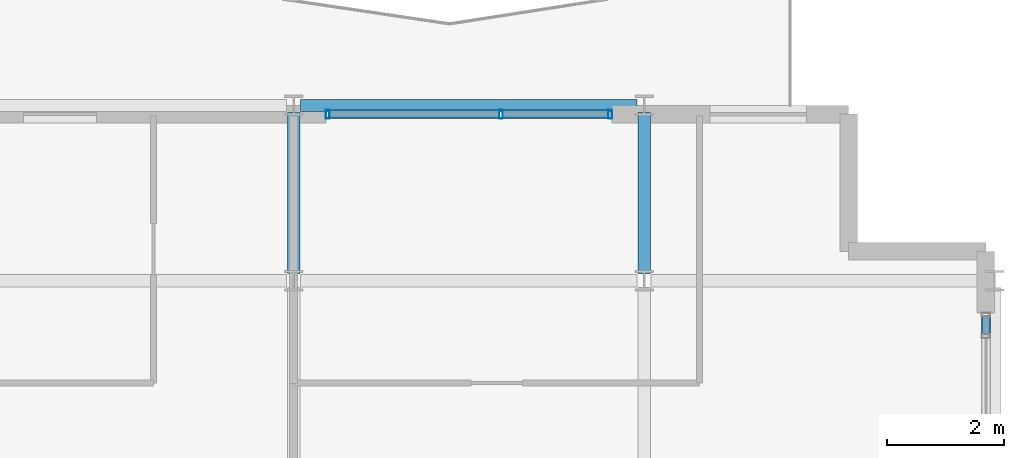
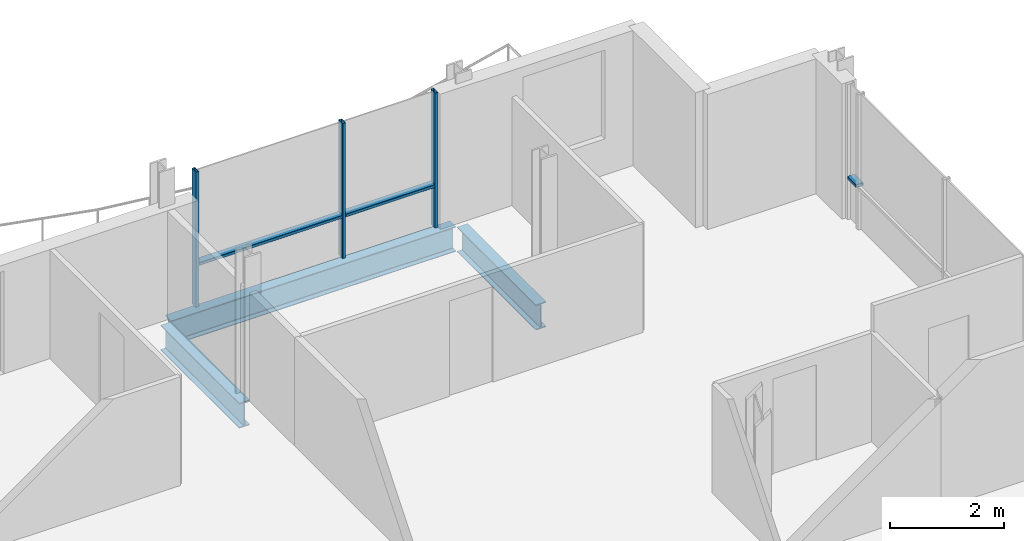
# One storey, part 10 of 17: 6 members, 3 beams, 2 elements without a shape of their own.
"""IFC4 building model written with IfcOpenShell, lengths in metres."""

import ifcopenshell
import ifcopenshell.guid

model = None  # the IFC model being written
_history = None  # IfcOwnerHistory: only IFC2X3 demands one
_inside = {}  # id of a spatial element -> (the spatial element, [elements in it])
_under = {}  # id of a project, library or spatial element -> (it, [spatial elements below it])
_declared = {}  # id of a project -> (the project, [libraries it declares])
_typed = {}  # id of a type object -> (the type object, [elements of that type])
_made_of = {}  # id of a material, layer set ... -> (it, [elements and type objects made of it])


def new_model(schema):
    """Start an empty IFC model of exactly this schema.

    Asked for "IFC4X3", IfcOpenShell would pick the latest addendum, in which some entities
    have other attributes; the version numbers below select the first issue.
    IFC2X3 requires an IfcOwnerHistory on every rooted entity: one is made here for all.
    """
    global model, _history
    if schema == "IFC4X3":
        model = ifcopenshell.file(schema_version=(4, 3, 0, 0))
    else:
        model = ifcopenshell.file(schema=schema)
    _inside.clear()
    _under.clear()
    _declared.clear()
    _typed.clear()
    _made_of.clear()
    _history = None
    if model.schema == "IFC2X3":
        org = make("IfcOrganization", Name="unknown")
        user = make(
            "IfcPersonAndOrganization",
            ThePerson=make("IfcPerson", FamilyName="unknown"),
            TheOrganization=org,
        )
        app = make(
            "IfcApplication",
            ApplicationDeveloper=org,
            Version="unknown",
            ApplicationFullName="unknown",
            ApplicationIdentifier="unknown",
        )
        _history = make(
            "IfcOwnerHistory",
            OwningUser=user,
            OwningApplication=app,
            ChangeAction="ADDED",
            CreationDate=0,
        )
    return model


def make(cls, **values):
    """One entity of the class cls with the attributes given. An attribute that is None is left unset."""
    return model.create_entity(
        cls, **{name: value for name, value in values.items() if value is not None}
    )


def rooted(cls, **values):
    """An entity with a GlobalId (a new one), such as an element, a storey or a relation."""
    return make(cls, GlobalId=ifcopenshell.guid.new(), OwnerHistory=_history, **values)


def si_unit(unit_type, name, prefix=None):
    """IfcSIUnit, for example si_unit("LENGTHUNIT", "METRE", prefix="MILLI")."""
    return make("IfcSIUnit", UnitType=unit_type, Prefix=prefix, Name=name)


def assignment(units):
    """IfcUnitAssignment: the units of a project."""
    return None if units is None else make("IfcUnitAssignment", Units=units)


def point(xyz):
    """IfcCartesianPoint."""
    return None if xyz is None else make("IfcCartesianPoint", Coordinates=xyz)


def direction(xyz):
    """IfcDirection."""
    return None if xyz is None else make("IfcDirection", DirectionRatios=xyz)


def frame(location, z_axis=None, x_axis=None):
    """IfcAxis2Placement3D, a coordinate frame: its origin and axes. An axis left out is left unset."""
    return make(
        "IfcAxis2Placement3D",
        Location=point(location),
        Axis=direction(z_axis),
        RefDirection=direction(x_axis),
    )


def frame_2d(location, x_axis=None):
    """IfcAxis2Placement2D, a coordinate frame in the plane: its origin and x axis."""
    return make(
        "IfcAxis2Placement2D", Location=point(location), RefDirection=direction(x_axis)
    )


def origin():
    """The frame at (0, 0, 0) with its axes left unset."""
    return frame((0.0, 0.0, 0.0))


def origin_2d():
    """The frame at (0, 0) in the plane with its x axis left unset."""
    return frame_2d((0.0, 0.0))


def place(relative_to, where):
    """IfcLocalPlacement: puts the frame where relative to a parent placement (None: the world)."""
    return make(
        "IfcLocalPlacement", PlacementRelTo=relative_to, RelativePlacement=where
    )


def context(
    kind, dimensions, precision=None, world=None, true_north=None, identifier=None
):
    """IfcGeometricRepresentationContext, for example the 3D "Model" context."""
    return make(
        "IfcGeometricRepresentationContext",
        ContextIdentifier=identifier,
        ContextType=kind,
        CoordinateSpaceDimension=dimensions,
        Precision=precision,
        WorldCoordinateSystem=world,
        TrueNorth=true_north,
    )


def subcontext(parent, identifier, kind, view, scale=None):
    """IfcGeometricRepresentationSubContext, for example "Body" below "Model"."""
    return make(
        "IfcGeometricRepresentationSubContext",
        ContextIdentifier=identifier,
        ContextType=kind,
        ParentContext=parent,
        TargetScale=scale,
        TargetView=view,
    )


def project(units=None, contexts=None):
    """IfcProject with its units and contexts."""
    return rooted(
        "IfcProject",
        Name="project",
        RepresentationContexts=contexts,
        UnitsInContext=assignment(units),
    )


def spatial(cls, under=None, at=None, **own):
    """A site, building, storey or space (cls), placed at a placement, below another one or the project."""
    s = rooted(cls, ObjectPlacement=at, **own)
    if under is not None:
        _under.setdefault(under.id(), (under, []))[1].append(s)
    return s


def profile(cls, at=None, kind="AREA", **sizes):
    """A parametric profile (cls). Its sizes go by their IFC names, for example OverallWidth=200.0."""
    return make(cls, ProfileType=kind, Position=at, **sizes)


def hollow_rectangle(**sizes):
    """IfcRectangleHollowProfileDef."""
    return profile("IfcRectangleHollowProfileDef", **sizes)


def i_section(**sizes):
    """IfcIShapeProfileDef."""
    return profile("IfcIShapeProfileDef", **sizes)


def extrude(swept, where, along, depth):
    """IfcExtrudedAreaSolid: the profile swept, set in the frame where, extruded along a direction by depth."""
    return make(
        "IfcExtrudedAreaSolid",
        SweptArea=swept,
        Position=where,
        ExtrudedDirection=direction(along),
        Depth=depth,
    )


def shape(context_of_items, identifier, shape_type, items):
    """IfcShapeRepresentation: the items that make up one representation, for example the "Body"."""
    return make(
        "IfcShapeRepresentation",
        ContextOfItems=context_of_items,
        RepresentationIdentifier=identifier,
        RepresentationType=shape_type,
        Items=items,
    )


def material(Name=None, Category=None):
    """IfcMaterial."""
    return make("IfcMaterial", Name=Name, Category=Category)


def layer(
    of_material, thickness, ventilated=None, Name=None, Category=None, Priority=None
):
    """IfcMaterialLayer: one layer of a wall or slab, of a material (None: an air gap)."""
    return make(
        "IfcMaterialLayer",
        Material=of_material,
        LayerThickness=thickness,
        IsVentilated=ventilated,
        Name=Name,
        Category=Category,
        Priority=Priority,
    )


def layer_set(layers, Name=None):
    """IfcMaterialLayerSet."""
    return make("IfcMaterialLayerSet", MaterialLayers=layers, LayerSetName=Name)


def material_profile(
    of_material, cross_section, Name=None, Category=None, Priority=None
):
    """IfcMaterialProfile: a cross section and its material."""
    return make(
        "IfcMaterialProfile",
        Name=Name,
        Material=of_material,
        Profile=cross_section,
        Priority=Priority,
        Category=Category,
    )


def profile_set(profiles, Name=None, composite=None):
    """IfcMaterialProfileSet."""
    return make(
        "IfcMaterialProfileSet",
        Name=Name,
        MaterialProfiles=profiles,
        CompositeProfile=composite,
    )


def made_of(thing, what):
    """Note that an element or type object is made of a material, layer set ...; save() writes the relation."""
    if what is not None:
        _made_of.setdefault(what.id(), (what, []))[1].append(thing)
    return thing


def type_object(cls, material=None, **own):
    """A type object (cls), such as IfcWallType, which elements share."""
    return made_of(rooted(cls, **own), material)


def element(
    cls,
    number,
    at=None,
    inside=None,
    cuts=None,
    type_object=None,
    material=None,
    context=None,
    identifier="Body",
    shape_type=None,
    held_by="IfcProductDefinitionShape",
    body=None,
    shapes=None,
    **own,
):
    """One element of the class cls, such as IfcWall. Its Tag is "e" and its number.

    at: its placement. inside: the storey or other place that contains it. cuts: it is an
    opening in that element (IfcRelVoidsElement). A single representation is given by context,
    identifier, shape_type and body (its items); several are given by shapes. held_by: the class
    of the entity that holds the representations. save() writes the other relations.
    """
    e = rooted(cls, Tag="e%d" % number, ObjectPlacement=at, **own)
    if body is not None:
        shapes = [shape(context, identifier, shape_type, body)]
    if shapes is not None:
        e.Representation = make(held_by, Representations=shapes)
    if inside is not None:
        _inside.setdefault(inside.id(), (inside, []))[1].append(e)
    if cuts is not None:
        rooted(
            "IfcRelVoidsElement", RelatingBuildingElement=cuts, RelatedOpeningElement=e
        )
    if type_object is not None:
        _typed.setdefault(type_object.id(), (type_object, []))[1].append(e)
    return made_of(e, material)


def aggregate(whole, parts):
    """IfcRelAggregates: a whole, such as a stair, and the parts it consists of."""
    return rooted("IfcRelAggregates", RelatingObject=whole, RelatedObjects=parts)


def save(model, path):
    """Write the relations noted so far, then the file.

    IfcRelAggregates (storeys below a building ...), IfcRelContainedInSpatialStructure (elements
    in a storey), IfcRelDefinesByType, IfcRelAssociatesMaterial and IfcRelDeclares: one each for
    every whole, place, type object, material and project.
    """
    for whole, parts in _under.values():
        aggregate(whole, parts)
    for where, things in _inside.values():
        rooted(
            "IfcRelContainedInSpatialStructure",
            RelatedElements=things,
            RelatingStructure=where,
        )
    for kind, things in _typed.values():
        rooted("IfcRelDefinesByType", RelatedObjects=things, RelatingType=kind)
    for what, things in _made_of.values():
        rooted("IfcRelAssociatesMaterial", RelatedObjects=things, RelatingMaterial=what)
    for by, libraries in _declared.values():
        rooted("IfcRelDeclares", RelatingContext=by, RelatedDefinitions=libraries)
    model.write(path)


model = new_model("IFC4")

# Units and contexts
model_context = context("Model", 3, precision=1e-05, world=origin(), true_north=direction((0.0, 1.0)))
body_context = subcontext(model_context, "Body", "Model", "MODEL_VIEW")
ifc_project = project(units=[si_unit("LENGTHUNIT", "METRE"), si_unit("AREAUNIT", "SQUARE_METRE"), si_unit("VOLUMEUNIT", "CUBIC_METRE"), si_unit("PLANEANGLEUNIT", "RADIAN"), si_unit("MASSUNIT", "GRAM", prefix="KILO")], contexts=[model_context])

# Site, building, storey
site_placement = place(None, origin())
site = spatial("IfcSite", under=ifc_project, at=site_placement, CompositionType="ELEMENT")
building_placement = place(site_placement, origin())
building = spatial("IfcBuilding", under=site, at=building_placement, Name="Brevholm Reach", CompositionType="ELEMENT")
storey_placement = place(building_placement, frame((0.0, 0.0, 221.10009765625)))
storey = spatial("IfcBuildingStorey", under=building, at=storey_placement, Name="L67", CompositionType="ELEMENT", Elevation=221.10009765625)

# Beams
ifc_material_1 = material(Name="Structural Steel S355J2", Category="steel")
ifc_material_profile_1 = material_profile(ifc_material_1, i_section(OverallWidth=0.209228515625, OverallDepth=0.533203125, WebThickness=0.010009765625, FlangeThickness=0.015625, FilletRadius=0.0126953125, at=origin_2d()), Name="UKB 533x210x92")
ifc_profile_set_1 = profile_set([ifc_material_profile_1], Name="Structural Steel S355J2")
beam_type_1 = type_object("IfcBeamType", Name="BM-SP533", PredefinedType="SPANDREL", material=ifc_profile_set_1)
beam_placement = place(storey_placement, frame((48.1201171875, 26.5, -0.4765625), z_axis=(1.0, 0.0, 0.0), x_axis=(0.0, 1.0, 0.0)))
element("IfcBeam", 1, at=beam_placement, inside=storey, type_object=beam_type_1, Name="L67 SP-02 Framing Beam", PredefinedType="SPANDREL", context=body_context, shape_type="SweptSolid", body=[
    extrude(i_section(OverallWidth=0.209228515625, OverallDepth=0.533203125, WebThickness=0.010009765625, FlangeThickness=0.015625, FilletRadius=0.0126953125, at=origin_2d()), origin(), (0.0, 0.0, 1.0), 5.759765625),
])
ifc_material_2 = material(Name="Structural Steel S355J2", Category="steel")
ifc_material_profile_2 = material_profile(ifc_material_2, i_section(OverallWidth=0.210693359375, OverallDepth=0.53955078125, WebThickness=0.01171875, FlangeThickness=0.018798828125, FilletRadius=0.0126953125, at=origin_2d()), Name="UKB 533x210x109")
ifc_profile_set_2 = profile_set([ifc_material_profile_2], Name="Structural Steel S355J2")
beam_type_2 = type_object("IfcBeamType", Name="BM-SP539", PredefinedType="SPANDREL", material=ifc_profile_set_2)
for number, where, z_axis, x_axis, name in (
    (2, (48.0, 23.6201171875, -0.479736328125), (0.0, 1.0, 0.0), (-1.0, 0.0, 0.0), "L67 SP-01B Framing Beam"),
    (3, (54.0, 23.6201171875, -0.479736328125), (0.0, 1.0, 0.0), (-1.0, 0.0, 0.0), "L67 SP-01B Framing Beam"),
):
    element("IfcBeam", number, at=place(storey_placement, frame(where, z_axis=z_axis, x_axis=x_axis)), inside=storey, type_object=beam_type_2, Name=name, PredefinedType="SPANDREL", context=body_context, shape_type="SweptSolid", body=[
        extrude(i_section(OverallWidth=0.210693359375, OverallDepth=0.53955078125, WebThickness=0.01171875, FlangeThickness=0.018798828125, FilletRadius=0.0126953125, at=origin_2d()), origin(), (0.0, 0.0, 1.0), 2.759765625),
    ])

# Curtain wall, members
ifc_material_3 = material(Name="Dark Anodised Aluminium 6063-T6 and Solar-Control Glass", Category="aluminium")
ifc_layer = layer(ifc_material_3, 0.14990234375)
ifc_layer_set = layer_set([ifc_layer], Name="Dark Anodised Aluminium 6063-T6 and Solar-Control Glass")
curtain_wall_type = type_object("IfcCurtainWallType", Name="CW-01", PredefinedType="NOTDEFINED", material=ifc_layer_set)
curtain_wall_1_placement = place(storey_placement, origin())
curtain_wall_1 = element("IfcCurtainWall", 4, at=curtain_wall_1_placement, inside=storey, type_object=curtain_wall_type, Name="L67 Curtain Wall CW-01", PredefinedType="NOTDEFINED")
ifc_material_4 = material(Name="Dark Anodised Aluminium 6063-T6", Category="aluminium")
ifc_material_profile_3 = material_profile(ifc_material_4, hollow_rectangle(XDim=0.06494140625, YDim=0.14990234375, WallThickness=0.0048828125, InnerFilletRadius=0.0048828125, OuterFilletRadius=0.010009765625, at=origin_2d()), Name="RHS 150x65x5")
ifc_profile_set_3 = profile_set([ifc_material_profile_3], Name="Dark Anodised Aluminium 6063-T6")
member_type_1 = type_object("IfcMemberType", Name="CWM-150", PredefinedType="MULLION", material=ifc_profile_set_3)
member_1_placement = place(storey_placement, frame((48.58251953125, 26.35009765625, 0.0), z_axis=(0.0, 0.0, 1.0), x_axis=(1.0, 0.0, 0.0)))
member_1 = element("IfcMember", 5, at=member_1_placement, type_object=member_type_1, Name="CM-150 Mullion 1", PredefinedType="MULLION", context=body_context, shape_type="SweptSolid", body=[
    extrude(hollow_rectangle(XDim=0.06494140625, YDim=0.14990234375, WallThickness=0.0048828125, InnerFilletRadius=0.0048828125, OuterFilletRadius=0.010009765625, at=origin_2d()), origin(), (0.0, 0.0, 1.0), 2.889892578125),
])
member_2_placement = place(storey_placement, frame((51.550048828125, 26.35009765625, 0.0), z_axis=(0.0, 0.0, 1.0), x_axis=(1.0, 0.0, 0.0)))
member_2 = element("IfcMember", 6, at=member_2_placement, type_object=member_type_1, Name="CM-150 Mullion 2", PredefinedType="MULLION", context=body_context, shape_type="SweptSolid", body=[
    extrude(hollow_rectangle(XDim=0.06494140625, YDim=0.14990234375, WallThickness=0.0048828125, InnerFilletRadius=0.0048828125, OuterFilletRadius=0.010009765625, at=origin_2d()), origin(), (0.0, 0.0, 1.0), 2.889892578125),
])
member_3_placement = place(storey_placement, frame((53.41748046875, 26.35009765625, 0.0), z_axis=(0.0, 0.0, 1.0), x_axis=(1.0, 0.0, 0.0)))
member_3 = element("IfcMember", 7, at=member_3_placement, type_object=member_type_1, Name="CM-150 Mullion 3", PredefinedType="MULLION", context=body_context, shape_type="SweptSolid", body=[
    extrude(hollow_rectangle(XDim=0.06494140625, YDim=0.14990234375, WallThickness=0.0048828125, InnerFilletRadius=0.0048828125, OuterFilletRadius=0.010009765625, at=origin_2d()), origin(), (0.0, 0.0, 1.0), 2.889892578125),
])

# Curtain wall, member
curtain_wall_2_placement = place(storey_placement, origin())
curtain_wall_2 = element("IfcCurtainWall", 8, at=curtain_wall_2_placement, inside=storey, type_object=curtain_wall_type, Name="L67 Curtain Wall CW-01", PredefinedType="NOTDEFINED")
ifc_material_5 = material(Name="Dark Anodised Aluminium 6063-T6", Category="aluminium")
ifc_material_profile_4 = material_profile(ifc_material_5, hollow_rectangle(XDim=0.06494140625, YDim=0.14990234375, WallThickness=0.0048828125, InnerFilletRadius=0.0048828125, OuterFilletRadius=0.010009765625, at=origin_2d()), Name="RHS 150x65x5")
ifc_profile_set_4 = profile_set([ifc_material_profile_4], Name="Dark Anodised Aluminium 6063-T6")
member_type_2 = type_object("IfcMemberType", Name="CWT-150", PredefinedType="NOTDEFINED", material=ifc_profile_set_4)
member_4_placement = place(storey_placement, frame((59.85009765625, 22.58251953125, 0.89990234375), z_axis=(0.0, 1.0, 0.0), x_axis=(0.0, 0.0, 1.0)))
member_4 = element("IfcMember", 9, at=member_4_placement, type_object=member_type_2, Name="CT-150 Transom 5.1", ObjectType="TRANSOM", PredefinedType="USERDEFINED", context=body_context, shape_type="SweptSolid", body=[
    extrude(hollow_rectangle(XDim=0.06494140625, YDim=0.14990234375, WallThickness=0.0048828125, InnerFilletRadius=0.0048828125, OuterFilletRadius=0.010009765625, at=origin_2d()), origin(), (0.0, 0.0, 1.0), 0.302490234375),
])
aggregate(curtain_wall_2, [member_4])

# Member
member_5_placement = place(storey_placement, frame((48.614990234375, 26.35009765625, 0.89990234375), z_axis=(1.0, 0.0, 0.0), x_axis=(0.0, 0.0, 1.0)))
member_5 = element("IfcMember", 10, at=member_5_placement, type_object=member_type_2, Name="CT-150 Transom 1.1", ObjectType="TRANSOM", PredefinedType="USERDEFINED", context=body_context, shape_type="SweptSolid", body=[
    extrude(hollow_rectangle(XDim=0.06494140625, YDim=0.14990234375, WallThickness=0.0048828125, InnerFilletRadius=0.0048828125, OuterFilletRadius=0.010009765625, at=origin_2d()), origin(), (0.0, 0.0, 1.0), 2.902587890625),
])

member_6_placement = place(storey_placement, frame((51.58251953125, 26.35009765625, 0.89990234375), z_axis=(1.0, 0.0, 0.0), x_axis=(0.0, 0.0, 1.0)))
member_6 = element("IfcMember", 11, at=member_6_placement, type_object=member_type_2, Name="CT-150 Transom 2.1", ObjectType="TRANSOM", PredefinedType="USERDEFINED", context=body_context, shape_type="SweptSolid", body=[
    extrude(hollow_rectangle(XDim=0.06494140625, YDim=0.14990234375, WallThickness=0.0048828125, InnerFilletRadius=0.0048828125, OuterFilletRadius=0.010009765625, at=origin_2d()), origin(), (0.0, 0.0, 1.0), 1.802490234375),
])

aggregate(curtain_wall_1, [member_1, member_2, member_3, member_5, member_6])

save(model, "model.ifc")
